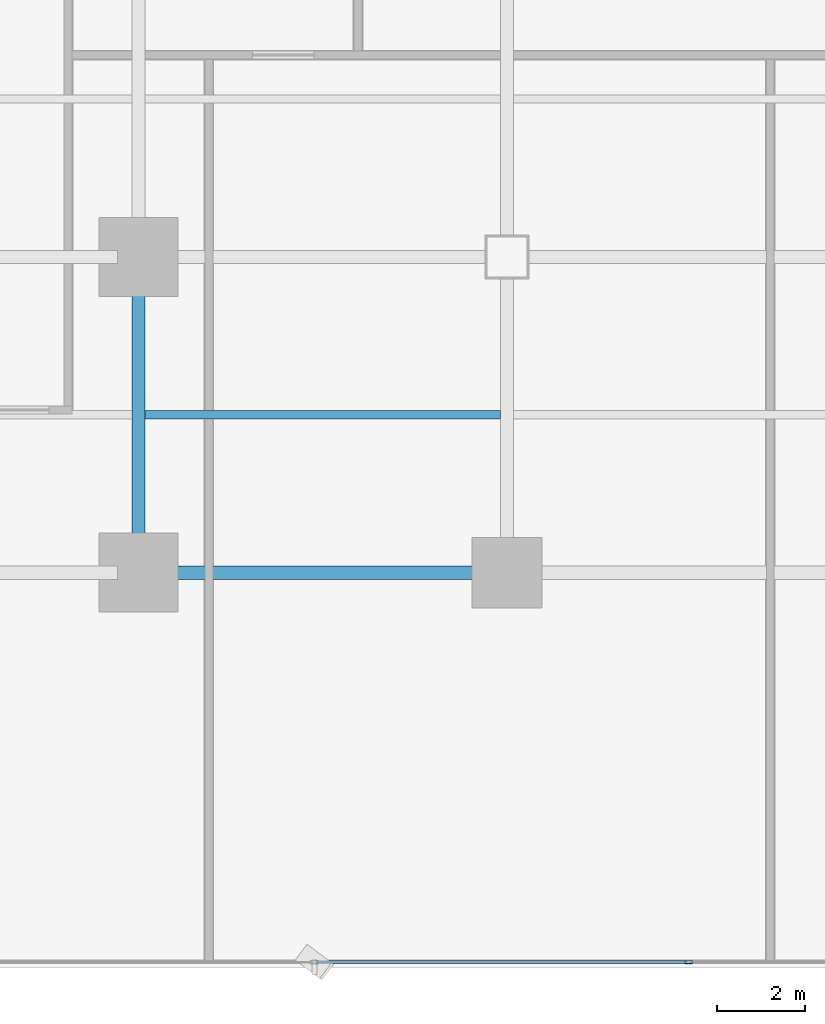
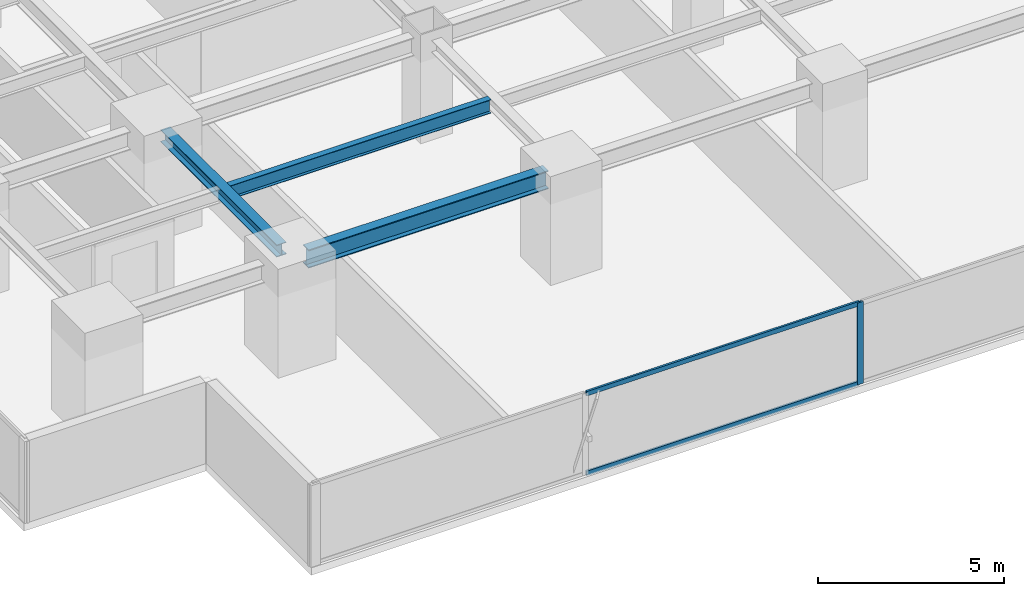
# One storey, part 4 of 33: 3 beams, 3 members, 1 element without a shape of its own.
"""IFC4 building model written with IfcOpenShell, lengths in metres."""

from ifc_helpers import new_model, si_unit, direction, frame, origin, origin_2d, place, context, subcontext, project, spatial, hollow_rectangle, i_section, extrude, source, transform, mapped, material, layer, layer_set, material_profile, profile_set, type_object, element, aggregate, save


model = new_model("IFC4")

# Units and contexts
model_context = context("Model", 3, precision=1e-05, world=origin(), true_north=direction((0.0, 1.0)))
body_context = subcontext(model_context, "Body", "Model", "MODEL_VIEW")
ifc_project = project(units=[si_unit("LENGTHUNIT", "METRE"), si_unit("AREAUNIT", "SQUARE_METRE"), si_unit("VOLUMEUNIT", "CUBIC_METRE"), si_unit("PLANEANGLEUNIT", "RADIAN"), si_unit("MASSUNIT", "GRAM", prefix="KILO")], contexts=[model_context])

# Site, building, storey
site_placement = place(None, origin())
site = spatial("IfcSite", under=ifc_project, at=site_placement, CompositionType="ELEMENT")
building_placement = place(site_placement, origin())
building = spatial("IfcBuilding", under=site, at=building_placement, Name="Sumidabori Civic Tower", CompositionType="ELEMENT")
storey_placement = place(building_placement, frame((0.0, 0.0, 66.800048828125)))
storey = spatial("IfcBuildingStorey", under=building, at=storey_placement, Name="L17", CompositionType="ELEMENT", Elevation=66.800048828125)

# Beams
ifc_material_1 = material(Name="Steel SN490", Category="steel")
ifc_material_profile_1 = material_profile(ifc_material_1, i_section(OverallWidth=0.300048828125, OverallDepth=0.60009765625, WebThickness=0.015380859375, FlangeThickness=0.030029296875, at=origin_2d()), Name="HE 600 B")
ifc_profile_set_1 = profile_set([ifc_material_profile_1], Name="Steel SN490")
beam_type_1 = type_object("IfcBeamType", Name="BM-GIRD-600", PredefinedType="BEAM", material=ifc_profile_set_1)
shared_shape_1 = source(origin(), body_context, "Body", "SweptSolid", [
    extrude(i_section(OverallWidth=0.300048828125, OverallDepth=0.60009765625, WebThickness=0.015380859375, FlangeThickness=0.030029296875, at=origin_2d()), origin(), (0.0, 0.0, 1.0), 7.440185546875),
])
beam_1_placement = place(storey_placement, frame((-16.320068359375, -18.0, 3.0), z_axis=(1.0, 0.0, 0.0), x_axis=(0.0, 1.0, 0.0)))
element("IfcBeam", 1, at=beam_1_placement, inside=storey, type_object=beam_type_1, Name="Primary Girder L17 GX-02", PredefinedType="BEAM", context=body_context, shape_type="MappedRepresentation", body=[
    mapped(shared_shape_1, transform((0.0, 0.0, 0.0), x_axis=(1.0, 0.0, 0.0), y_axis=(0.0, 1.0, 0.0), z_axis=(0.0, 0.0, 1.0), scale=1.0)),
])
ifc_material_profile_2 = material_profile(ifc_material_1, i_section(OverallWidth=0.300048828125, OverallDepth=0.39990234375, WebThickness=0.013427734375, FlangeThickness=0.02392578125, at=origin_2d()), Name="HE 400 B")
ifc_profile_set_2 = profile_set([ifc_material_profile_2], Name="Steel SN490")
beam_type_2 = type_object("IfcBeamType", Name="BM-GIRD-400", PredefinedType="BEAM", material=ifc_profile_set_2)
shared_shape_2 = source(origin(), body_context, "Body", "SweptSolid", [
    extrude(i_section(OverallWidth=0.300048828125, OverallDepth=0.39990234375, WebThickness=0.013427734375, FlangeThickness=0.02392578125, at=origin_2d()), origin(), (0.0, 0.0, 1.0), 6.239990234375),
])
beam_2_placement = place(storey_placement, frame((-16.800048828125, -17.52001953125, 3.099853515625), z_axis=(0.0, 1.0, 0.0), x_axis=(-1.0, 0.0, 0.0)))
element("IfcBeam", 2, at=beam_2_placement, inside=storey, type_object=beam_type_2, Name="Primary Girder L17 GY-25", PredefinedType="BEAM", context=body_context, shape_type="MappedRepresentation", body=[
    mapped(shared_shape_2, transform((0.0, 0.0, 0.0), x_axis=(1.0, 0.0, 0.0), y_axis=(0.0, 1.0, 0.0), z_axis=(0.0, 0.0, 1.0), scale=1.0)),
])
ifc_material_profile_3 = material_profile(ifc_material_1, i_section(OverallWidth=0.18994140625, OverallDepth=0.449951171875, WebThickness=0.009521484375, FlangeThickness=0.0146484375, at=origin_2d()), Name="IPE 450")
ifc_profile_set_3 = profile_set([ifc_material_profile_3], Name="Steel SN490")
beam_type_3 = type_object("IfcBeamType", Name="BM-JST-450", PredefinedType="JOIST", material=ifc_profile_set_3)
shared_shape_3 = source(origin(), body_context, "Body", "SweptSolid", [
    extrude(i_section(OverallWidth=0.18994140625, OverallDepth=0.449951171875, WebThickness=0.009521484375, FlangeThickness=0.0146484375, at=origin_2d()), origin(), (0.0, 0.0, 1.0), 8.099853515625),
])
beam_3_placement = place(storey_placement, frame((-16.64990234375, -14.39990234375, 3.074951171875), z_axis=(1.0, 0.0, 0.0), x_axis=(0.0, 1.0, 0.0)))
element("IfcBeam", 3, at=beam_3_placement, inside=storey, type_object=beam_type_3, Name="South Bay Floor Joist L17 JSTS-61", PredefinedType="JOIST", context=body_context, shape_type="MappedRepresentation", body=[
    mapped(shared_shape_3, transform((0.0, 0.0, 0.0), x_axis=(1.0, 0.0, 0.0), y_axis=(0.0, 1.0, 0.0), z_axis=(0.0, 0.0, 1.0), scale=1.0)),
])

# Curtain wall, members
ifc_material_2 = material(Name="Anodised Bronze Aluminium AW-6063-T6", Category="aluminium")
ifc_layer = layer(ifc_material_2, 0.179931640625, Name="Anodised Bronze Aluminium AW-6063-T6")
ifc_layer_set = layer_set([ifc_layer], Name="Anodised Bronze Aluminium AW-6063-T6")
curtain_wall_type = type_object("IfcCurtainWallType", Name="CW-SYS-2", PredefinedType="NOTDEFINED", material=ifc_layer_set)
curtain_wall_placement = place(storey_placement, origin())
curtain_wall = element("IfcCurtainWall", 4, at=curtain_wall_placement, inside=storey, type_object=curtain_wall_type, Name="Curtain Wall CW:L17:R01", PredefinedType="NOTDEFINED")
ifc_material_profile_4 = material_profile(ifc_material_2, hollow_rectangle(XDim=0.06494140625, YDim=0.14990234375, WallThickness=0.0048828125, at=origin_2d()), Name="ALU TRANSOM 150x65")
ifc_profile_set_4 = profile_set([ifc_material_profile_4], Name="Anodised Bronze Aluminium AW-6063-T6")
member_type_1 = type_object("IfcMemberType", Name="CW-TRN-150", PredefinedType="USERDEFINED", material=ifc_profile_set_4)
shared_shape_4 = source(origin(), body_context, "Body", "SweptSolid", [
    extrude(hollow_rectangle(XDim=0.06494140625, YDim=0.14990234375, WallThickness=0.0048828125, at=origin_2d()), origin(), (0.0, 0.0, 1.0), 8.4580078125),
])
member_1_placement = place(storey_placement, frame((-12.757080078125, -26.8798828125, 0.032470703125), z_axis=(1.0, 0.0, 0.0), x_axis=(0.0, 1.0, 0.0)))
member_1 = element("IfcMember", 5, at=member_1_placement, type_object=member_type_1, Name="CW-2 transom 2.1", ObjectType="TRANSOM", PredefinedType="USERDEFINED", context=body_context, shape_type="MappedRepresentation", body=[
    mapped(shared_shape_4, transform((0.0, 0.0, 0.0), x_axis=(1.0, 0.0, 0.0), y_axis=(0.0, 1.0, 0.0), z_axis=(0.0, 0.0, 1.0), scale=1.0)),
])
member_2_placement = place(storey_placement, frame((-12.757080078125, -26.8798828125, 2.6474609375), z_axis=(1.0, 0.0, 0.0), x_axis=(0.0, 1.0, 0.0)))
member_2 = element("IfcMember", 6, at=member_2_placement, type_object=member_type_1, Name="CW-2 transom 2.2", ObjectType="TRANSOM", PredefinedType="USERDEFINED", context=body_context, shape_type="MappedRepresentation", body=[
    mapped(shared_shape_4, transform((0.0, 0.0, 0.0), x_axis=(1.0, 0.0, 0.0), y_axis=(0.0, 1.0, 0.0), z_axis=(0.0, 0.0, 1.0), scale=1.0)),
])
ifc_material_profile_5 = material_profile(ifc_material_2, hollow_rectangle(XDim=0.070068359375, YDim=0.179931640625, WallThickness=0.006103515625, at=origin_2d()), Name="ALU MULLION 180x70")
ifc_profile_set_5 = profile_set([ifc_material_profile_5], Name="Anodised Bronze Aluminium AW-6063-T6")
member_type_2 = type_object("IfcMemberType", Name="CW-MUL-180", PredefinedType="MULLION", material=ifc_profile_set_5)
shared_shape_5 = source(origin(), body_context, "Body", "SweptSolid", [
    extrude(hollow_rectangle(XDim=0.070068359375, YDim=0.179931640625, WallThickness=0.006103515625, at=origin_2d()), origin(), (0.0, 0.0, 1.0), 2.679931640625),
])
member_3_placement = place(storey_placement, frame((-4.263916015625, -26.8798828125, 0.0), z_axis=(0.0, 0.0, 1.0), x_axis=(0.0, 1.0, 0.0)))
member_3 = element("IfcMember", 7, at=member_3_placement, type_object=member_type_2, Name="CW-2 mullion 3", PredefinedType="MULLION", context=body_context, shape_type="MappedRepresentation", body=[
    mapped(shared_shape_5, transform((0.0, 0.0, 0.0), x_axis=(1.0, 0.0, 0.0), y_axis=(0.0, 1.0, 0.0), z_axis=(0.0, 0.0, 1.0), scale=1.0)),
])
aggregate(curtain_wall, [member_3, member_1, member_2])

save(model, "model.ifc")
